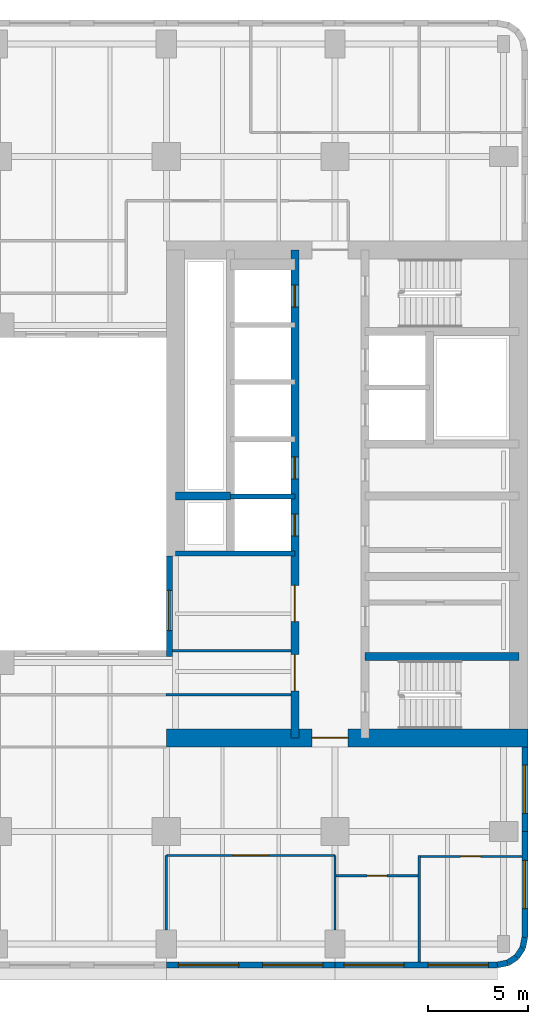
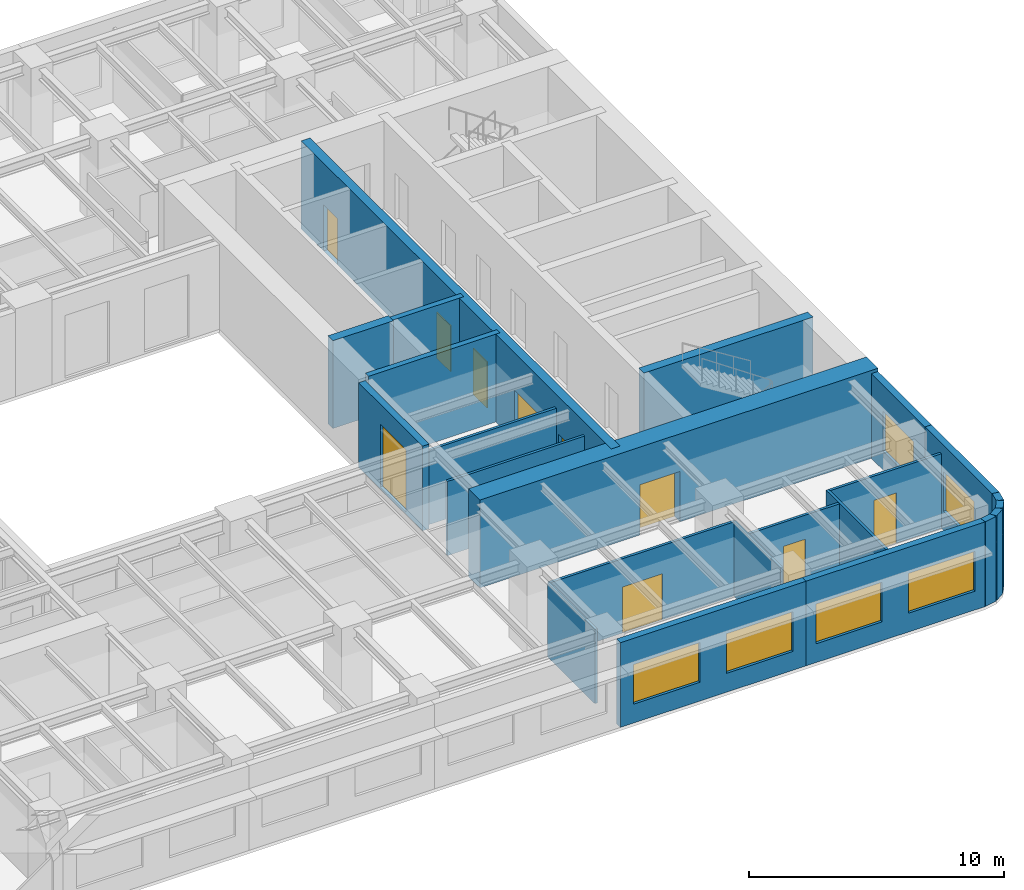
# One storey, part 5 of 11: 23 walls, 9 doors, 7 windows, 16 openings.
"""IFC4 building model written with IfcOpenShell, lengths in metres."""

import ifcopenshell
import ifcopenshell.guid

model = None  # the IFC model being written
_history = None  # IfcOwnerHistory: only IFC2X3 demands one
_inside = {}  # id of a spatial element -> (the spatial element, [elements in it])
_under = {}  # id of a project, library or spatial element -> (it, [spatial elements below it])
_declared = {}  # id of a project -> (the project, [libraries it declares])
_typed = {}  # id of a type object -> (the type object, [elements of that type])
_made_of = {}  # id of a material, layer set ... -> (it, [elements and type objects made of it])


def new_model(schema):
    """Start an empty IFC model of exactly this schema.

    Asked for "IFC4X3", IfcOpenShell would pick the latest addendum, in which some entities
    have other attributes; the version numbers below select the first issue.
    IFC2X3 requires an IfcOwnerHistory on every rooted entity: one is made here for all.
    """
    global model, _history
    if schema == "IFC4X3":
        model = ifcopenshell.file(schema_version=(4, 3, 0, 0))
    else:
        model = ifcopenshell.file(schema=schema)
    _inside.clear()
    _under.clear()
    _declared.clear()
    _typed.clear()
    _made_of.clear()
    _history = None
    if model.schema == "IFC2X3":
        org = make("IfcOrganization", Name="unknown")
        user = make(
            "IfcPersonAndOrganization",
            ThePerson=make("IfcPerson", FamilyName="unknown"),
            TheOrganization=org,
        )
        app = make(
            "IfcApplication",
            ApplicationDeveloper=org,
            Version="unknown",
            ApplicationFullName="unknown",
            ApplicationIdentifier="unknown",
        )
        _history = make(
            "IfcOwnerHistory",
            OwningUser=user,
            OwningApplication=app,
            ChangeAction="ADDED",
            CreationDate=0,
        )
    return model


def make(cls, **values):
    """One entity of the class cls with the attributes given. An attribute that is None is left unset."""
    return model.create_entity(
        cls, **{name: value for name, value in values.items() if value is not None}
    )


def rooted(cls, **values):
    """An entity with a GlobalId (a new one), such as an element, a storey or a relation."""
    return make(cls, GlobalId=ifcopenshell.guid.new(), OwnerHistory=_history, **values)


def si_unit(unit_type, name, prefix=None):
    """IfcSIUnit, for example si_unit("LENGTHUNIT", "METRE", prefix="MILLI")."""
    return make("IfcSIUnit", UnitType=unit_type, Prefix=prefix, Name=name)


def assignment(units):
    """IfcUnitAssignment: the units of a project."""
    return None if units is None else make("IfcUnitAssignment", Units=units)


def point(xyz):
    """IfcCartesianPoint."""
    return None if xyz is None else make("IfcCartesianPoint", Coordinates=xyz)


def direction(xyz):
    """IfcDirection."""
    return None if xyz is None else make("IfcDirection", DirectionRatios=xyz)


def frame(location, z_axis=None, x_axis=None):
    """IfcAxis2Placement3D, a coordinate frame: its origin and axes. An axis left out is left unset."""
    return make(
        "IfcAxis2Placement3D",
        Location=point(location),
        Axis=direction(z_axis),
        RefDirection=direction(x_axis),
    )


def frame_2d(location, x_axis=None):
    """IfcAxis2Placement2D, a coordinate frame in the plane: its origin and x axis."""
    return make(
        "IfcAxis2Placement2D", Location=point(location), RefDirection=direction(x_axis)
    )


def origin():
    """The frame at (0, 0, 0) with its axes left unset."""
    return frame((0.0, 0.0, 0.0))


def place(relative_to, where):
    """IfcLocalPlacement: puts the frame where relative to a parent placement (None: the world)."""
    return make(
        "IfcLocalPlacement", PlacementRelTo=relative_to, RelativePlacement=where
    )


def context(
    kind, dimensions, precision=None, world=None, true_north=None, identifier=None
):
    """IfcGeometricRepresentationContext, for example the 3D "Model" context."""
    return make(
        "IfcGeometricRepresentationContext",
        ContextIdentifier=identifier,
        ContextType=kind,
        CoordinateSpaceDimension=dimensions,
        Precision=precision,
        WorldCoordinateSystem=world,
        TrueNorth=true_north,
    )


def subcontext(parent, identifier, kind, view, scale=None):
    """IfcGeometricRepresentationSubContext, for example "Body" below "Model"."""
    return make(
        "IfcGeometricRepresentationSubContext",
        ContextIdentifier=identifier,
        ContextType=kind,
        ParentContext=parent,
        TargetScale=scale,
        TargetView=view,
    )


def project(units=None, contexts=None):
    """IfcProject with its units and contexts."""
    return rooted(
        "IfcProject",
        Name="project",
        RepresentationContexts=contexts,
        UnitsInContext=assignment(units),
    )


def spatial(cls, under=None, at=None, **own):
    """A site, building, storey or space (cls), placed at a placement, below another one or the project."""
    s = rooted(cls, ObjectPlacement=at, **own)
    if under is not None:
        _under.setdefault(under.id(), (under, []))[1].append(s)
    return s


def profile(cls, at=None, kind="AREA", **sizes):
    """A parametric profile (cls). Its sizes go by their IFC names, for example OverallWidth=200.0."""
    return make(cls, ProfileType=kind, Position=at, **sizes)


def rectangle(**sizes):
    """IfcRectangleProfileDef."""
    return profile("IfcRectangleProfileDef", **sizes)


def extrude(swept, where, along, depth):
    """IfcExtrudedAreaSolid: the profile swept, set in the frame where, extruded along a direction by depth."""
    return make(
        "IfcExtrudedAreaSolid",
        SweptArea=swept,
        Position=where,
        ExtrudedDirection=direction(along),
        Depth=depth,
    )


def shape(context_of_items, identifier, shape_type, items):
    """IfcShapeRepresentation: the items that make up one representation, for example the "Body"."""
    return make(
        "IfcShapeRepresentation",
        ContextOfItems=context_of_items,
        RepresentationIdentifier=identifier,
        RepresentationType=shape_type,
        Items=items,
    )


def material(Name=None, Category=None):
    """IfcMaterial."""
    return make("IfcMaterial", Name=Name, Category=Category)


def layer(
    of_material, thickness, ventilated=None, Name=None, Category=None, Priority=None
):
    """IfcMaterialLayer: one layer of a wall or slab, of a material (None: an air gap)."""
    return make(
        "IfcMaterialLayer",
        Material=of_material,
        LayerThickness=thickness,
        IsVentilated=ventilated,
        Name=Name,
        Category=Category,
        Priority=Priority,
    )


def layer_set(layers, Name=None):
    """IfcMaterialLayerSet."""
    return make("IfcMaterialLayerSet", MaterialLayers=layers, LayerSetName=Name)


def made_of(thing, what):
    """Note that an element or type object is made of a material, layer set ...; save() writes the relation."""
    if what is not None:
        _made_of.setdefault(what.id(), (what, []))[1].append(thing)
    return thing


def type_object(cls, material=None, **own):
    """A type object (cls), such as IfcWallType, which elements share."""
    return made_of(rooted(cls, **own), material)


def element(
    cls,
    number,
    at=None,
    inside=None,
    cuts=None,
    type_object=None,
    material=None,
    context=None,
    identifier="Body",
    shape_type=None,
    held_by="IfcProductDefinitionShape",
    body=None,
    shapes=None,
    **own,
):
    """One element of the class cls, such as IfcWall. Its Tag is "e" and its number.

    at: its placement. inside: the storey or other place that contains it. cuts: it is an
    opening in that element (IfcRelVoidsElement). A single representation is given by context,
    identifier, shape_type and body (its items); several are given by shapes. held_by: the class
    of the entity that holds the representations. save() writes the other relations.
    """
    e = rooted(cls, Tag="e%d" % number, ObjectPlacement=at, **own)
    if body is not None:
        shapes = [shape(context, identifier, shape_type, body)]
    if shapes is not None:
        e.Representation = make(held_by, Representations=shapes)
    if inside is not None:
        _inside.setdefault(inside.id(), (inside, []))[1].append(e)
    if cuts is not None:
        rooted(
            "IfcRelVoidsElement", RelatingBuildingElement=cuts, RelatedOpeningElement=e
        )
    if type_object is not None:
        _typed.setdefault(type_object.id(), (type_object, []))[1].append(e)
    return made_of(e, material)


def fill(opening, filler):
    """IfcRelFillsElement: the door or window that sits in an opening."""
    return rooted(
        "IfcRelFillsElement",
        RelatingOpeningElement=opening,
        RelatedBuildingElement=filler,
    )


def aggregate(whole, parts):
    """IfcRelAggregates: a whole, such as a stair, and the parts it consists of."""
    return rooted("IfcRelAggregates", RelatingObject=whole, RelatedObjects=parts)


def save(model, path):
    """Write the relations noted so far, then the file.

    IfcRelAggregates (storeys below a building ...), IfcRelContainedInSpatialStructure (elements
    in a storey), IfcRelDefinesByType, IfcRelAssociatesMaterial and IfcRelDeclares: one each for
    every whole, place, type object, material and project.
    """
    for whole, parts in _under.values():
        aggregate(whole, parts)
    for where, things in _inside.values():
        rooted(
            "IfcRelContainedInSpatialStructure",
            RelatedElements=things,
            RelatingStructure=where,
        )
    for kind, things in _typed.values():
        rooted("IfcRelDefinesByType", RelatedObjects=things, RelatingType=kind)
    for what, things in _made_of.values():
        rooted("IfcRelAssociatesMaterial", RelatedObjects=things, RelatingMaterial=what)
    for by, libraries in _declared.values():
        rooted("IfcRelDeclares", RelatingContext=by, RelatedDefinitions=libraries)
    model.write(path)


model = new_model("IFC4")

# Units and contexts
model_context = context("Model", 3, precision=1e-05, world=origin(), true_north=direction((0.0, 1.0)))
body_context = subcontext(model_context, "Body", "Model", "MODEL_VIEW")
ifc_project = project(units=[si_unit("LENGTHUNIT", "METRE"), si_unit("AREAUNIT", "SQUARE_METRE"), si_unit("VOLUMEUNIT", "CUBIC_METRE"), si_unit("PLANEANGLEUNIT", "RADIAN"), si_unit("MASSUNIT", "GRAM", prefix="KILO")], contexts=[model_context])

# Site, building, storey
site_placement = place(None, origin())
site = spatial("IfcSite", under=ifc_project, at=site_placement, CompositionType="ELEMENT")
building_placement = place(site_placement, origin())
building = spatial("IfcBuilding", under=site, at=building_placement, Name="Claustro Exchange Tower", CompositionType="ELEMENT")
storey_placement = place(building_placement, frame((0.0, 0.0, 109.199951171875)))
storey = spatial("IfcBuildingStorey", under=building, at=storey_placement, Name="L24", CompositionType="ELEMENT", Elevation=109.199951171875)

# Wall
ifc_material_1 = material(Name="Laminated glass in aluminium frame", Category="aluminium")
ifc_layer_1 = layer(ifc_material_1, 0.1201171875)
ifc_layer_set_1 = layer_set([ifc_layer_1], Name="Laminated glass in aluminium frame")
wall_type_1 = type_object("IfcWallType", Name="P2 120 glazed partition", PredefinedType="PARTITIONING", material=ifc_layer_set_1)
wall_1_placement = place(storey_placement, frame((33.89794921875, 17.39990234375, 0.0), z_axis=(0.0, 0.0, 1.0), x_axis=(1.0, 0.0, 0.0)))
element("IfcWall", 1, at=wall_1_placement, inside=storey, type_object=wall_type_1, Name="Partition P2 L24", PredefinedType="PARTITIONING", context=body_context, shape_type="SweptSolid", body=[
    extrude(rectangle(XDim=5.904052734375, YDim=0.1201171875, at=frame_2d((2.9521484375, 0.0))), origin(), (0.0, 0.0, 1.0), 3.550048828125),
])

# Wall, opening, door
wall_2_placement = place(storey_placement, frame((42.05810546875, 6.199951171875, 0.0), z_axis=(0.0, 0.0, 1.0), x_axis=(1.0, 0.0, 0.0)))
wall_2 = element("IfcWall", 2, at=wall_2_placement, inside=storey, type_object=wall_type_1, Name="Partition P2 L24", PredefinedType="PARTITIONING", context=body_context, shape_type="SweptSolid", body=[
    extrude(rectangle(XDim=4.083984375, YDim=0.1201171875, at=frame_2d((2.0419921875, 0.0))), origin(), (0.0, 0.0, 1.0), 3.550048828125),
])
opening_1_placement = place(wall_2_placement, frame((1.5419921875, 0.0, 0.0)))
opening_1 = element("IfcOpeningElement", 3, at=opening_1_placement, cuts=wall_2, Name="Opening D7", PredefinedType="OPENING", context=body_context, shape_type="SweptSolid", body=[
    extrude(rectangle(XDim=1.0, YDim=2.39990234375, at=frame_2d((0.5, 1.199951171875))), frame((0.0, 0.070068359375, 0.0), z_axis=(0.0, -1.0, 0.0), x_axis=(1.0, 0.0, 0.0)), (0.0, 0.0, 1.0), 0.14013671875),
])
ifc_material_2 = material(Name="Glass door in aluminium frame", Category="aluminium")
door_type_1 = type_object("IfcDoorType", Name="D7 1000 x 2400 glazed door", OperationType="SINGLE_SWING_LEFT", PredefinedType="DOOR", material=ifc_material_2)
door_1_placement = place(opening_1_placement, frame((1.0, 0.0, 0.0), z_axis=(0.0, 0.0, 1.0), x_axis=(-1.0, 0.0, 0.0)))
door_1 = element("IfcDoor", 4, at=door_1_placement, inside=storey, type_object=door_type_1, Name="Door D7 L24", OperationType="SINGLE_SWING_RIGHT", OverallHeight=2.39990234375, OverallWidth=1.0, PredefinedType="DOOR", context=body_context, shape_type="SweptSolid", body=[
    extrude(rectangle(XDim=1.0, YDim=2.39990234375, at=frame_2d((0.5, 1.199951171875))), frame((0.0, 0.02490234375, 0.0), z_axis=(0.0, -1.0, 0.0), x_axis=(1.0, 0.0, 0.0)), (0.0, 0.0, 1.0), 0.050048828125),
])
fill(opening_1, door_1)

wall_3_placement = place(storey_placement, frame((46.258056640625, 7.14990234375, 0.0), z_axis=(0.0, 0.0, 1.0), x_axis=(1.0, 0.0, 0.0)))
wall_3 = element("IfcWall", 5, at=wall_3_placement, inside=storey, type_object=wall_type_1, Name="Partition P2 L24", PredefinedType="PARTITIONING", context=body_context, shape_type="SweptSolid", body=[
    extrude(rectangle(XDim=5.0439453125, YDim=0.1201171875, at=frame_2d((2.52197265625, 0.0))), origin(), (0.0, 0.0, 1.0), 3.56005859375),
])
opening_2_placement = place(wall_3_placement, frame((1.991943359375, 0.0, 0.0)))
opening_2 = element("IfcOpeningElement", 6, at=opening_2_placement, cuts=wall_3, Name="Opening D7", PredefinedType="OPENING", context=body_context, shape_type="SweptSolid", body=[
    extrude(rectangle(XDim=1.0, YDim=2.39990234375, at=frame_2d((0.5, 1.199951171875))), frame((0.0, 0.070068359375, 0.0), z_axis=(0.0, -1.0, 0.0), x_axis=(1.0, 0.0, 0.0)), (0.0, 0.0, 1.0), 0.14013671875),
])
door_2_placement = place(opening_2_placement, frame((1.0, 0.0, 0.0), z_axis=(0.0, 0.0, 1.0), x_axis=(-1.0, 0.0, 0.0)))
door_2 = element("IfcDoor", 7, at=door_2_placement, inside=storey, type_object=door_type_1, Name="Door D7 L24", OperationType="SINGLE_SWING_RIGHT", OverallHeight=2.39990234375, OverallWidth=1.0, PredefinedType="DOOR", context=body_context, shape_type="SweptSolid", body=[
    extrude(rectangle(XDim=1.0, YDim=2.39990234375, at=frame_2d((0.5, 1.199951171875))), frame((0.0, 0.02490234375, 0.0), z_axis=(0.0, -1.0, 0.0), x_axis=(1.0, 0.0, 0.0)), (0.0, 0.0, 1.0), 0.050048828125),
])
fill(opening_2, door_2)

wall_4_placement = place(storey_placement, frame((33.60009765625, 7.199951171875, 0.0), z_axis=(0.0, 0.0, 1.0), x_axis=(1.0, 0.0, 0.0)))
wall_4 = element("IfcWall", 8, at=wall_4_placement, inside=storey, type_object=wall_type_1, Name="Partition P2 L24", PredefinedType="PARTITIONING", context=body_context, shape_type="SweptSolid", body=[
    extrude(rectangle(XDim=8.39990234375, YDim=0.1201171875, at=frame_2d((4.199951171875, 0.0))), origin(), (0.0, 0.0, 1.0), 3.550048828125),
])
opening_3_placement = place(wall_4_placement, frame((3.300048828125, 0.0, 0.0)))
opening_3 = element("IfcOpeningElement", 9, at=opening_3_placement, cuts=wall_4, Name="Opening D2", PredefinedType="OPENING", context=body_context, shape_type="SweptSolid", body=[
    extrude(rectangle(XDim=1.800048828125, YDim=2.199951171875, at=frame_2d((0.89990234375, 1.10009765625))), frame((0.0, 0.070068359375, 0.0), z_axis=(0.0, -1.0, 0.0), x_axis=(1.0, 0.0, 0.0)), (0.0, 0.0, 1.0), 0.14013671875),
])
ifc_material_3 = material(Name="Timber door, oak veneer", Category="wood")
door_type_2 = type_object("IfcDoorType", Name="D2 1800 x 2200 double door", OperationType="DOUBLE_DOOR_SINGLE_SWING", PredefinedType="DOOR", material=ifc_material_3)
door_3_placement = place(opening_3_placement, frame((1.800048828125, 0.0, 0.0), z_axis=(0.0, 0.0, 1.0), x_axis=(-1.0, 0.0, 0.0)))
door_3 = element("IfcDoor", 10, at=door_3_placement, inside=storey, type_object=door_type_2, Name="Double door D2 L24", OperationType="DOUBLE_DOOR_SINGLE_SWING", OverallHeight=2.199951171875, OverallWidth=1.800048828125, PredefinedType="DOOR", context=body_context, shape_type="SweptSolid", body=[
    extrude(rectangle(XDim=1.800048828125, YDim=2.199951171875, at=frame_2d((0.89990234375, 1.10009765625))), frame((0.0, 0.02490234375, 0.0), z_axis=(0.0, -1.0, 0.0), x_axis=(1.0, 0.0, 0.0)), (0.0, 0.0, 1.0), 0.050048828125),
])
fill(opening_3, door_3)

# Walls
for number, where, z_axis, x_axis, name in (
    (11, (33.60009765625, 3.4990234375, 0.0), (0.0, 0.0, 1.0), (0.0, 1.0, 0.0), "Partition P2 L24"),
    (12, (42.0, 3.4990234375, 0.0), (0.0, 0.0, 1.0), (0.0, 1.0, 0.0), "Partition P2 L24"),
):
    element("IfcWall", number, at=place(storey_placement, frame(where, z_axis=z_axis, x_axis=x_axis)), inside=storey, type_object=wall_type_1, Name=name, PredefinedType="PARTITIONING", context=body_context, shape_type="SweptSolid", body=[
        extrude(rectangle(XDim=3.700927734375, YDim=0.1201171875, at=frame_2d((1.8505859375, 0.0))), origin(), (0.0, 0.0, 1.0), 3.550048828125),
    ])
wall_5_placement = place(storey_placement, frame((46.199951171875, 1.89794921875, 0.0), z_axis=(0.0, 0.0, 1.0), x_axis=(0.0, 1.0, 0.0)))
element("IfcWall", 13, at=wall_5_placement, inside=storey, type_object=wall_type_1, Name="Partition P2 L24", PredefinedType="PARTITIONING", context=body_context, shape_type="SweptSolid", body=[
    extrude(rectangle(XDim=5.302001953125, YDim=0.1201171875, at=frame_2d((2.65087890625, 0.0))), origin(), (0.0, 0.0, 1.0), 3.56005859375),
])
wall_6_placement = place(storey_placement, frame((33.597900390625, 15.199951171875, 0.0), z_axis=(0.0, 0.0, 1.0), x_axis=(1.0, 0.0, 0.0)))
element("IfcWall", 14, at=wall_6_placement, inside=storey, type_object=wall_type_1, Name="Partition P2 L24", PredefinedType="PARTITIONING", context=body_context, shape_type="SweptSolid", body=[
    extrude(rectangle(XDim=6.2041015625, YDim=0.1201171875, at=frame_2d((3.10205078125, 0.0))), origin(), (0.0, 0.0, 1.0), 3.550048828125),
])

# Wall, openings, windows
ifc_material_4 = material(Name="Concrete HA-40 (C40/50), precast, white cement, acid-etched", Category="concrete")
ifc_layer_2 = layer(ifc_material_4, 0.300048828125)
ifc_layer_set_2 = layer_set([ifc_layer_2], Name="Concrete HA-40 (C40/50), precast, white cement, acid-etched")
wall_type_2 = type_object("IfcWallType", Name="PC1 300 precast concrete pier panel", PredefinedType="SOLIDWALL", material=ifc_layer_set_2)
wall_7_placement = place(storey_placement, frame((50.085205078125, 1.75, 0.0), z_axis=(0.0, 0.0, 1.0), x_axis=(-1.0, 0.0, 0.0)))
wall_7 = element("IfcWall", 15, at=wall_7_placement, inside=storey, type_object=wall_type_2, Name="Precast pier panel PC1 L24", PredefinedType="SOLIDWALL", context=body_context, shape_type="SweptSolid", body=[
    extrude(rectangle(XDim=8.085205078125, YDim=0.300048828125, at=frame_2d((4.04248046875, 0.0))), origin(), (0.0, 0.0, 1.0), 4.050048828125),
])
opening_4_placement = place(wall_7_placement, frame((0.442626953125, 0.0, 0.89990234375)))
opening_4 = element("IfcOpeningElement", 16, at=opening_4_placement, cuts=wall_7, Name="Opening W1", PredefinedType="OPENING", context=body_context, shape_type="SweptSolid", body=[
    extrude(rectangle(XDim=3.0, YDim=1.89990234375, at=frame_2d((1.5, 0.949951171875))), frame((0.0, 0.159912109375, 0.0), z_axis=(0.0, -1.0, 0.0), x_axis=(1.0, 0.0, 0.0)), (0.0, 0.0, 1.0), 0.320068359375),
])
opening_5_placement = place(wall_7_placement, frame((4.642578125, 0.0, 0.89990234375)))
opening_5 = element("IfcOpeningElement", 17, at=opening_5_placement, cuts=wall_7, Name="Opening W1", PredefinedType="OPENING", context=body_context, shape_type="SweptSolid", body=[
    extrude(rectangle(XDim=3.0, YDim=1.89990234375, at=frame_2d((1.5, 0.949951171875))), frame((0.0, 0.159912109375, 0.0), z_axis=(0.0, -1.0, 0.0), x_axis=(1.0, 0.0, 0.0)), (0.0, 0.0, 1.0), 0.320068359375),
])
ifc_material_5 = material(Name="Aluminium frame, clear double glazing", Category="aluminium")
window_type_1 = type_object("IfcWindowType", Name="W1 3000 x 1900 window", PartitioningType="SINGLE_PANEL", PredefinedType="WINDOW", material=ifc_material_5)
window_1_placement = place(opening_4_placement, origin())
window_1 = element("IfcWindow", 18, at=window_1_placement, inside=storey, type_object=window_type_1, Name="Window W1 L24", OverallHeight=1.89990234375, OverallWidth=3.0, PartitioningType="SINGLE_PANEL", PredefinedType="WINDOW", context=body_context, shape_type="SweptSolid", body=[
    extrude(rectangle(XDim=3.0, YDim=1.89990234375, at=frame_2d((1.5, 0.949951171875))), frame((0.0, 0.030029296875, 0.0), z_axis=(0.0, -1.0, 0.0), x_axis=(1.0, 0.0, 0.0)), (0.0, 0.0, 1.0), 0.06005859375),
])
fill(opening_4, window_1)
window_2_placement = place(opening_5_placement, origin())
window_2 = element("IfcWindow", 19, at=window_2_placement, inside=storey, type_object=window_type_1, Name="Window W1 L24", OverallHeight=1.89990234375, OverallWidth=3.0, PartitioningType="SINGLE_PANEL", PredefinedType="WINDOW", context=body_context, shape_type="SweptSolid", body=[
    extrude(rectangle(XDim=3.0, YDim=1.89990234375, at=frame_2d((1.5, 0.949951171875))), frame((0.0, 0.030029296875, 0.0), z_axis=(0.0, -1.0, 0.0), x_axis=(1.0, 0.0, 0.0)), (0.0, 0.0, 1.0), 0.06005859375),
])
fill(opening_5, window_2)

wall_8_placement = place(storey_placement, frame((42.0, 1.75, 0.0), z_axis=(0.0, 0.0, 1.0), x_axis=(-1.0, 0.0, 0.0)))
wall_8 = element("IfcWall", 20, at=wall_8_placement, inside=storey, type_object=wall_type_2, Name="Precast pier panel PC1 L24", PredefinedType="SOLIDWALL", context=body_context, shape_type="SweptSolid", body=[
    extrude(rectangle(XDim=8.39990234375, YDim=0.300048828125, at=frame_2d((4.199951171875, 0.0))), origin(), (0.0, 0.0, 1.0), 4.050048828125),
])
opening_6_placement = place(wall_8_placement, frame((0.60009765625, 0.0, 0.89990234375)))
opening_6 = element("IfcOpeningElement", 21, at=opening_6_placement, cuts=wall_8, Name="Opening W1", PredefinedType="OPENING", context=body_context, shape_type="SweptSolid", body=[
    extrude(rectangle(XDim=3.0, YDim=1.89990234375, at=frame_2d((1.5, 0.949951171875))), frame((0.0, 0.159912109375, 0.0), z_axis=(0.0, -1.0, 0.0), x_axis=(1.0, 0.0, 0.0)), (0.0, 0.0, 1.0), 0.320068359375),
])
opening_7_placement = place(wall_8_placement, frame((4.800048828125, 0.0, 0.89990234375)))
opening_7 = element("IfcOpeningElement", 22, at=opening_7_placement, cuts=wall_8, Name="Opening W1", PredefinedType="OPENING", context=body_context, shape_type="SweptSolid", body=[
    extrude(rectangle(XDim=3.0, YDim=1.89990234375, at=frame_2d((1.5, 0.949951171875))), frame((0.0, 0.159912109375, 0.0), z_axis=(0.0, -1.0, 0.0), x_axis=(1.0, 0.0, 0.0)), (0.0, 0.0, 1.0), 0.320068359375),
])
window_3_placement = place(opening_6_placement, origin())
window_3 = element("IfcWindow", 23, at=window_3_placement, inside=storey, type_object=window_type_1, Name="Window W1 L24", OverallHeight=1.89990234375, OverallWidth=3.0, PartitioningType="SINGLE_PANEL", PredefinedType="WINDOW", context=body_context, shape_type="SweptSolid", body=[
    extrude(rectangle(XDim=3.0, YDim=1.89990234375, at=frame_2d((1.5, 0.949951171875))), frame((0.0, 0.030029296875, 0.0), z_axis=(0.0, -1.0, 0.0), x_axis=(1.0, 0.0, 0.0)), (0.0, 0.0, 1.0), 0.06005859375),
])
fill(opening_6, window_3)
window_4_placement = place(opening_7_placement, origin())
window_4 = element("IfcWindow", 24, at=window_4_placement, inside=storey, type_object=window_type_1, Name="Window W1 L24", OverallHeight=1.89990234375, OverallWidth=3.0, PartitioningType="SINGLE_PANEL", PredefinedType="WINDOW", context=body_context, shape_type="SweptSolid", body=[
    extrude(rectangle(XDim=3.0, YDim=1.89990234375, at=frame_2d((1.5, 0.949951171875))), frame((0.0, 0.030029296875, 0.0), z_axis=(0.0, -1.0, 0.0), x_axis=(1.0, 0.0, 0.0)), (0.0, 0.0, 1.0), 0.06005859375),
])
fill(opening_7, window_4)

# Wall, opening, window
wall_9_placement = place(storey_placement, frame((51.449951171875, 12.60009765625, 0.0), z_axis=(0.0, 0.0, 1.0), x_axis=(0.0, -1.0, 0.0)))
wall_9 = element("IfcWall", 25, at=wall_9_placement, inside=storey, type_object=wall_type_2, Name="Precast pier panel PC1 L24", PredefinedType="SOLIDWALL", context=body_context, shape_type="SweptSolid", body=[
    extrude(rectangle(XDim=4.2001953125, YDim=0.300048828125, at=frame_2d((2.10009765625, 0.0))), origin(), (0.0, 0.0, 1.0), 4.050048828125),
])
opening_8_placement = place(wall_9_placement, frame((0.89990234375, 0.0, 0.89990234375)))
opening_8 = element("IfcOpeningElement", 26, at=opening_8_placement, cuts=wall_9, Name="Opening W2", PredefinedType="OPENING", context=body_context, shape_type="SweptSolid", body=[
    extrude(rectangle(XDim=2.39990234375, YDim=1.89990234375, at=frame_2d((1.199951171875, 0.949951171875))), frame((0.0, 0.159912109375, 0.0), z_axis=(0.0, -1.0, 0.0), x_axis=(1.0, 0.0, 0.0)), (0.0, 0.0, 1.0), 0.320068359375),
])
ifc_material_6 = material(Name="Aluminium frame, clear double glazing", Category="aluminium")
window_type_2 = type_object("IfcWindowType", Name="W2 2400 x 1900 window", PartitioningType="SINGLE_PANEL", PredefinedType="WINDOW", material=ifc_material_6)
window_5_placement = place(opening_8_placement, origin())
window_5 = element("IfcWindow", 27, at=window_5_placement, inside=storey, type_object=window_type_2, Name="Window W2 L24", OverallHeight=1.89990234375, OverallWidth=2.39990234375, PartitioningType="SINGLE_PANEL", PredefinedType="WINDOW", context=body_context, shape_type="SweptSolid", body=[
    extrude(rectangle(XDim=2.39990234375, YDim=1.89990234375, at=frame_2d((1.199951171875, 0.949951171875))), frame((0.0, 0.030029296875, 0.0), z_axis=(0.0, -1.0, 0.0), x_axis=(1.0, 0.0, 0.0)), (0.0, 0.0, 1.0), 0.06005859375),
])
fill(opening_8, window_5)

wall_10_placement = place(storey_placement, frame((51.449951171875, 8.39990234375, 0.0), z_axis=(0.0, 0.0, 1.0), x_axis=(0.0, -1.0, 0.0)))
wall_10 = element("IfcWall", 28, at=wall_10_placement, inside=storey, type_object=wall_type_2, Name="Precast pier panel PC1 L24", PredefinedType="SOLIDWALL", context=body_context, shape_type="SweptSolid", body=[
    extrude(rectangle(XDim=5.28515625, YDim=0.300048828125, at=frame_2d((2.642578125, 0.0))), origin(), (0.0, 0.0, 1.0), 4.050048828125),
])
opening_9_placement = place(wall_10_placement, frame((1.442626953125, 0.0, 0.89990234375)))
opening_9 = element("IfcOpeningElement", 29, at=opening_9_placement, cuts=wall_10, Name="Opening W2", PredefinedType="OPENING", context=body_context, shape_type="SweptSolid", body=[
    extrude(rectangle(XDim=2.39990234375, YDim=1.89990234375, at=frame_2d((1.199951171875, 0.949951171875))), frame((0.0, 0.159912109375, 0.0), z_axis=(0.0, -1.0, 0.0), x_axis=(1.0, 0.0, 0.0)), (0.0, 0.0, 1.0), 0.320068359375),
])
window_6_placement = place(opening_9_placement, origin())
window_6 = element("IfcWindow", 30, at=window_6_placement, inside=storey, type_object=window_type_2, Name="Window W2 L24", OverallHeight=1.89990234375, OverallWidth=2.39990234375, PartitioningType="SINGLE_PANEL", PredefinedType="WINDOW", context=body_context, shape_type="SweptSolid", body=[
    extrude(rectangle(XDim=2.39990234375, YDim=1.89990234375, at=frame_2d((1.199951171875, 0.949951171875))), frame((0.0, 0.030029296875, 0.0), z_axis=(0.0, -1.0, 0.0), x_axis=(1.0, 0.0, 0.0)), (0.0, 0.0, 1.0), 0.06005859375),
])
fill(opening_9, window_6)

# Walls
wall_11_placement = place(storey_placement, frame((51.449951171875, 3.11474609375, 0.0), z_axis=(0.0, 0.0, 1.0), x_axis=(-0.195073962632, -0.980788534345, 0.0)))
element("IfcWall", 31, at=wall_11_placement, inside=storey, type_object=wall_type_2, Name="Precast pier panel PC1 L24", PredefinedType="SOLIDWALL", context=body_context, shape_type="SweptSolid", body=[
    extrude(rectangle(XDim=0.540771484375, YDim=0.300048828125, at=frame_2d((0.2705078125, 0.0))), origin(), (0.0, 0.0, 1.0), 4.050048828125),
])
for number, where, z_axis, x_axis, name in (
    (32, (51.344482421875, 2.58447265625, 0.0), (0.0, 0.0, 1.0), (-0.555557463938, -0.831478144188, 0.0), "Precast pier panel PC1 L24"),
    (33, (51.052490234375, 2.1474609375, 0.0), (0.0, 0.0, 1.0), (-0.831478144188, -0.555557463938, 0.0), "Precast pier panel PC1 L24"),
):
    element("IfcWall", number, at=place(storey_placement, frame(where, z_axis=z_axis, x_axis=x_axis)), inside=storey, type_object=wall_type_2, Name=name, PredefinedType="SOLIDWALL", context=body_context, shape_type="SweptSolid", body=[
        extrude(rectangle(XDim=0.525634765625, YDim=0.300048828125, at=frame_2d((0.2626953125, 0.0))), origin(), (0.0, 0.0, 1.0), 4.050048828125),
    ])
wall_12_placement = place(storey_placement, frame((50.615478515625, 1.85546875, 0.0), z_axis=(0.0, 0.0, 1.0), x_axis=(-0.980788534345, -0.195073962632, 0.0)))
element("IfcWall", 34, at=wall_12_placement, inside=storey, type_object=wall_type_2, Name="Precast pier panel PC1 L24", PredefinedType="SOLIDWALL", context=body_context, shape_type="SweptSolid", body=[
    extrude(rectangle(XDim=0.540771484375, YDim=0.300048828125, at=frame_2d((0.2705078125, 0.0))), origin(), (0.0, 0.0, 1.0), 4.050048828125),
])

# Wall, opening, window
wall_13_placement = place(storey_placement, frame((33.75, 17.10009765625, 0.0), z_axis=(0.0, 0.0, 1.0), x_axis=(0.0, 1.0, 0.0)))
wall_13 = element("IfcWall", 35, at=wall_13_placement, inside=storey, type_object=wall_type_2, Name="Precast pier panel PC1 L24", PredefinedType="SOLIDWALL", context=body_context, shape_type="SweptSolid", body=[
    extrude(rectangle(XDim=5.0, YDim=0.300048828125, at=frame_2d((2.5, 0.0))), origin(), (0.0, 0.0, 1.0), 4.050048828125),
])
opening_10_placement = place(wall_13_placement, frame((1.300048828125, 0.0, 0.10009765625)))
opening_10 = element("IfcOpeningElement", 36, at=opening_10_placement, cuts=wall_13, Name="Opening W-A", PredefinedType="OPENING", context=body_context, shape_type="SweptSolid", body=[
    extrude(rectangle(XDim=2.0, YDim=3.0, at=frame_2d((1.0, 1.5))), frame((0.0, 0.159912109375, 0.0), z_axis=(0.0, -1.0, 0.0), x_axis=(1.0, 0.0, 0.0)), (0.0, 0.0, 1.0), 0.320068359375),
])
ifc_material_7 = material(Name="Aluminium frame, clear double glazing", Category="aluminium")
window_type_3 = type_object("IfcWindowType", Name="W-A 2000 x 3000 arcade window", PartitioningType="SINGLE_PANEL", PredefinedType="WINDOW", material=ifc_material_7)
window_7_placement = place(opening_10_placement, origin())
window_7 = element("IfcWindow", 37, at=window_7_placement, inside=storey, type_object=window_type_3, Name="Window W-A L24", OverallHeight=3.0, OverallWidth=2.0, PartitioningType="SINGLE_PANEL", PredefinedType="WINDOW", context=body_context, shape_type="SweptSolid", body=[
    extrude(rectangle(XDim=2.0, YDim=3.0, at=frame_2d((1.0, 1.5))), frame((0.0, 0.030029296875, 0.0), z_axis=(0.0, -1.0, 0.0), x_axis=(1.0, 0.0, 0.0)), (0.0, 0.0, 1.0), 0.06005859375),
])
fill(opening_10, window_7)

# Wall, opening, door
ifc_material_8 = material(Name="Concrete HA-70 (C70/85)", Category="concrete")
ifc_layer_3 = layer(ifc_material_8, 0.89990234375)
ifc_layer_set_3 = layer_set([ifc_layer_3], Name="Concrete HA-70 (C70/85)")
wall_type_3 = type_object("IfcWallType", Name="SW1 900 core shear wall", PredefinedType="SHEAR", material=ifc_layer_set_3)
wall_14_placement = place(storey_placement, frame((33.60009765625, 13.050048828125, 0.0), z_axis=(0.0, 0.0, 1.0), x_axis=(1.0, 0.0, 0.0)))
wall_14 = element("IfcWall", 38, at=wall_14_placement, inside=storey, type_object=wall_type_3, Name="Core wall SW1 E core S face L24", PredefinedType="SHEAR", context=body_context, shape_type="SweptSolid", body=[
    extrude(rectangle(XDim=18.0, YDim=0.89990234375, at=frame_2d((9.0, 0.0))), origin(), (0.0, 0.0, 1.0), 4.199951171875),
])
opening_11_placement = place(wall_14_placement, frame((7.25, 0.0, 0.0)))
opening_11 = element("IfcOpeningElement", 39, at=opening_11_placement, cuts=wall_14, Name="Opening D3", PredefinedType="OPENING", context=body_context, shape_type="SweptSolid", body=[
    extrude(rectangle(XDim=1.800048828125, YDim=2.39990234375, at=frame_2d((0.89990234375, 1.199951171875))), frame((0.0, 0.4599609375, 0.0), z_axis=(0.0, -1.0, 0.0), x_axis=(1.0, 0.0, 0.0)), (0.0, 0.0, 1.0), 0.919921875),
])
ifc_material_9 = material(Name="Steel fire door, painted", Category="steel")
door_type_3 = type_object("IfcDoorType", Name="D3 1800 x 2400 fire-rated lobby double door", OperationType="DOUBLE_DOOR_SINGLE_SWING", PredefinedType="DOOR", material=ifc_material_9)
door_4_placement = place(opening_11_placement, frame((1.800048828125, 0.0, 0.0), z_axis=(0.0, 0.0, 1.0), x_axis=(-1.0, 0.0, 0.0)))
door_4 = element("IfcDoor", 40, at=door_4_placement, inside=storey, type_object=door_type_3, Name="Lift lobby door D3 L24", OperationType="DOUBLE_DOOR_SINGLE_SWING", OverallHeight=2.39990234375, OverallWidth=1.800048828125, PredefinedType="DOOR", context=body_context, shape_type="SweptSolid", body=[
    extrude(rectangle(XDim=1.800048828125, YDim=2.39990234375, at=frame_2d((0.89990234375, 1.199951171875))), frame((0.0, 0.02490234375, 0.0), z_axis=(0.0, -1.0, 0.0), x_axis=(1.0, 0.0, 0.0)), (0.0, 0.0, 1.0), 0.050048828125),
])
fill(opening_11, door_4)

# Wall, openings, doors
ifc_material_10 = material(Name="Concrete HA-50 (C50/60)", Category="concrete")
ifc_layer_4 = layer(ifc_material_10, 0.39990234375)
ifc_layer_set_4 = layer_set([ifc_layer_4], Name="Concrete HA-50 (C50/60)")
wall_type_4 = type_object("IfcWallType", Name="SW4 400 internal core wall", PredefinedType="SHEAR", material=ifc_layer_set_4)
wall_15_placement = place(storey_placement, frame((40.0, 13.050048828125, 0.0), z_axis=(0.0, 0.0, 1.0), x_axis=(0.0, 1.0, 0.0)))
wall_15 = element("IfcWall", 41, at=wall_15_placement, inside=storey, type_object=wall_type_4, Name="Internal core wall SW4 E core L24", PredefinedType="SHEAR", context=body_context, shape_type="SweptSolid", body=[
    extrude(rectangle(XDim=24.300048828125, YDim=0.39990234375, at=frame_2d((12.14990234375, 0.0))), origin(), (0.0, 0.0, 1.0), 4.199951171875),
])
opening_12_placement = place(wall_15_placement, frame((10.050048828125, 0.0, 0.0)))
opening_12 = element("IfcOpeningElement", 42, at=opening_12_placement, cuts=wall_15, Name="Opening LD", PredefinedType="OPENING", context=body_context, shape_type="SweptSolid", body=[
    extrude(rectangle(XDim=1.10009765625, YDim=2.199951171875, at=frame_2d((0.550048828125, 1.10009765625))), frame((0.0, 0.2099609375, 0.0), z_axis=(0.0, -1.0, 0.0), x_axis=(1.0, 0.0, 0.0)), (0.0, 0.0, 1.0), 0.419921875),
])
opening_13_placement = place(wall_15_placement, frame((12.89990234375, 0.0, 0.0)))
opening_13 = element("IfcOpeningElement", 43, at=opening_13_placement, cuts=wall_15, Name="Opening LD", PredefinedType="OPENING", context=body_context, shape_type="SweptSolid", body=[
    extrude(rectangle(XDim=1.10009765625, YDim=2.199951171875, at=frame_2d((0.550048828125, 1.10009765625))), frame((0.0, 0.2099609375, 0.0), z_axis=(0.0, -1.0, 0.0), x_axis=(1.0, 0.0, 0.0)), (0.0, 0.0, 1.0), 0.419921875),
])
opening_14_placement = place(wall_15_placement, frame((21.449951171875, 0.0, 0.0)))
opening_14 = element("IfcOpeningElement", 44, at=opening_14_placement, cuts=wall_15, Name="Opening LD", PredefinedType="OPENING", context=body_context, shape_type="SweptSolid", body=[
    extrude(rectangle(XDim=1.10009765625, YDim=2.199951171875, at=frame_2d((0.550048828125, 1.10009765625))), frame((0.0, 0.2099609375, 0.0), z_axis=(0.0, -1.0, 0.0), x_axis=(1.0, 0.0, 0.0)), (0.0, 0.0, 1.0), 0.419921875),
])
opening_15_placement = place(wall_15_placement, frame((2.35009765625, 0.0, 0.0)))
opening_15 = element("IfcOpeningElement", 45, at=opening_15_placement, cuts=wall_15, Name="Opening D3", PredefinedType="OPENING", context=body_context, shape_type="SweptSolid", body=[
    extrude(rectangle(XDim=1.800048828125, YDim=2.39990234375, at=frame_2d((0.89990234375, 1.199951171875))), frame((0.0, 0.2099609375, 0.0), z_axis=(0.0, -1.0, 0.0), x_axis=(1.0, 0.0, 0.0)), (0.0, 0.0, 1.0), 0.419921875),
])
opening_16_placement = place(wall_15_placement, frame((5.800048828125, 0.0, 0.0)))
opening_16 = element("IfcOpeningElement", 46, at=opening_16_placement, cuts=wall_15, Name="Opening D3", PredefinedType="OPENING", context=body_context, shape_type="SweptSolid", body=[
    extrude(rectangle(XDim=1.800048828125, YDim=2.39990234375, at=frame_2d((0.89990234375, 1.199951171875))), frame((0.0, 0.2099609375, 0.0), z_axis=(0.0, -1.0, 0.0), x_axis=(1.0, 0.0, 0.0)), (0.0, 0.0, 1.0), 0.419921875),
])
door_5_placement = place(opening_15_placement, frame((1.800048828125, 0.0, 0.0), z_axis=(0.0, 0.0, 1.0), x_axis=(-1.0, 0.0, 0.0)))
door_5 = element("IfcDoor", 47, at=door_5_placement, inside=storey, type_object=door_type_3, Name="Core zone door D3 L24", OperationType="DOUBLE_DOOR_SINGLE_SWING", OverallHeight=2.39990234375, OverallWidth=1.800048828125, PredefinedType="DOOR", context=body_context, shape_type="SweptSolid", body=[
    extrude(rectangle(XDim=1.800048828125, YDim=2.39990234375, at=frame_2d((0.89990234375, 1.199951171875))), frame((0.0, 0.02490234375, 0.0), z_axis=(0.0, -1.0, 0.0), x_axis=(1.0, 0.0, 0.0)), (0.0, 0.0, 1.0), 0.050048828125),
])
fill(opening_15, door_5)
door_6_placement = place(opening_16_placement, origin())
door_6 = element("IfcDoor", 48, at=door_6_placement, inside=storey, type_object=door_type_3, Name="Core zone door D3 L24", OperationType="DOUBLE_DOOR_SINGLE_SWING", OverallHeight=2.39990234375, OverallWidth=1.800048828125, PredefinedType="DOOR", context=body_context, shape_type="SweptSolid", body=[
    extrude(rectangle(XDim=1.800048828125, YDim=2.39990234375, at=frame_2d((0.89990234375, 1.199951171875))), frame((0.0, 0.02490234375, 0.0), z_axis=(0.0, -1.0, 0.0), x_axis=(1.0, 0.0, 0.0)), (0.0, 0.0, 1.0), 0.050048828125),
])
fill(opening_16, door_6)
ifc_material_11 = material(Name="Stainless steel sliding door", Category="steel")
door_type_4 = type_object("IfcDoorType", Name="LD 1100 x 2200 lift landing door", OperationType="DOUBLE_DOOR_SLIDING", PredefinedType="DOOR", material=ifc_material_11)
door_7_placement = place(opening_12_placement, origin())
door_7 = element("IfcDoor", 49, at=door_7_placement, inside=storey, type_object=door_type_4, Name="Lift landing door LME1 LD L24", OperationType="DOUBLE_DOOR_SLIDING", OverallHeight=2.199951171875, OverallWidth=1.10009765625, PredefinedType="DOOR", context=body_context, shape_type="SweptSolid", body=[
    extrude(rectangle(XDim=1.10009765625, YDim=2.199951171875, at=frame_2d((0.550048828125, 1.10009765625))), frame((0.0, 0.02490234375, 0.0), z_axis=(0.0, -1.0, 0.0), x_axis=(1.0, 0.0, 0.0)), (0.0, 0.0, 1.0), 0.050048828125),
])
fill(opening_12, door_7)
door_8_placement = place(opening_13_placement, origin())
door_8 = element("IfcDoor", 50, at=door_8_placement, inside=storey, type_object=door_type_4, Name="Lift landing door LME2 LD L24", OperationType="DOUBLE_DOOR_SLIDING", OverallHeight=2.199951171875, OverallWidth=1.10009765625, PredefinedType="DOOR", context=body_context, shape_type="SweptSolid", body=[
    extrude(rectangle(XDim=1.10009765625, YDim=2.199951171875, at=frame_2d((0.550048828125, 1.10009765625))), frame((0.0, 0.02490234375, 0.0), z_axis=(0.0, -1.0, 0.0), x_axis=(1.0, 0.0, 0.0)), (0.0, 0.0, 1.0), 0.050048828125),
])
fill(opening_13, door_8)
door_9_placement = place(opening_14_placement, origin())
door_9 = element("IfcDoor", 51, at=door_9_placement, inside=storey, type_object=door_type_4, Name="Lift landing door LSE1 LD L24", OperationType="DOUBLE_DOOR_SLIDING", OverallHeight=2.199951171875, OverallWidth=1.10009765625, PredefinedType="DOOR", context=body_context, shape_type="SweptSolid", body=[
    extrude(rectangle(XDim=1.10009765625, YDim=2.199951171875, at=frame_2d((0.550048828125, 1.10009765625))), frame((0.0, 0.02490234375, 0.0), z_axis=(0.0, -1.0, 0.0), x_axis=(1.0, 0.0, 0.0)), (0.0, 0.0, 1.0), 0.050048828125),
])
fill(opening_14, door_9)

# Walls
wall_16_placement = place(storey_placement, frame((51.14990234375, 17.10009765625, 0.0), z_axis=(0.0, 0.0, 1.0), x_axis=(-1.0, 0.0, 0.0)))
element("IfcWall", 52, at=wall_16_placement, inside=storey, type_object=wall_type_4, Name="Internal core wall SW4 E core L24", PredefinedType="SHEAR", context=body_context, shape_type="SweptSolid", body=[
    extrude(rectangle(XDim=7.64990234375, YDim=0.39990234375, at=frame_2d((3.824951171875, 0.0))), origin(), (0.0, 0.0, 1.0), 4.199951171875),
])
wall_17_placement = place(storey_placement, frame((36.800048828125, 25.10009765625, 0.0), z_axis=(0.0, 0.0, 1.0), x_axis=(-1.0, 0.0, 0.0)))
element("IfcWall", 53, at=wall_17_placement, inside=storey, type_object=wall_type_4, Name="Internal core wall SW4 E core L24", PredefinedType="SHEAR", context=body_context, shape_type="SweptSolid", body=[
    extrude(rectangle(XDim=2.75, YDim=0.39990234375, at=frame_2d((1.375, 0.0))), origin(), (0.0, 0.0, 1.0), 4.199951171875),
])
ifc_material_12 = material(Name="Concrete HA-50 (C50/60)", Category="concrete")
ifc_layer_5 = layer(ifc_material_12, 0.25)
ifc_layer_set_5 = layer_set([ifc_layer_5], Name="Concrete HA-50 (C50/60)")
wall_type_5 = type_object("IfcWallType", Name="SW5 250 lift shaft divider wall", PredefinedType="SHEAR", material=ifc_layer_set_5)
wall_18_placement = place(storey_placement, frame((40.0, 22.22509765625, 0.0), z_axis=(0.0, 0.0, 1.0), x_axis=(-1.0, 0.0, 0.0)))
element("IfcWall", 54, at=wall_18_placement, inside=storey, type_object=wall_type_5, Name="Core step wall E core L24", PredefinedType="SHEAR", context=body_context, shape_type="SweptSolid", body=[
    extrude(rectangle(XDim=5.949951171875, YDim=0.25, at=frame_2d((2.97509765625, 0.0))), origin(), (0.0, 0.0, 1.0), 4.199951171875),
])
wall_19_placement = place(storey_placement, frame((40.0, 25.074951171875, 0.0), z_axis=(0.0, 0.0, 1.0), x_axis=(-1.0, 0.0, 0.0)))
element("IfcWall", 55, at=wall_19_placement, inside=storey, type_object=wall_type_5, Name="Lift shaft wall E core L24", PredefinedType="SHEAR", context=body_context, shape_type="SweptSolid", body=[
    extrude(rectangle(XDim=3.199951171875, YDim=0.25, at=frame_2d((1.60009765625, 0.0))), origin(), (0.0, 0.0, 1.0), 4.199951171875),
])

save(model, "model.ifc")
